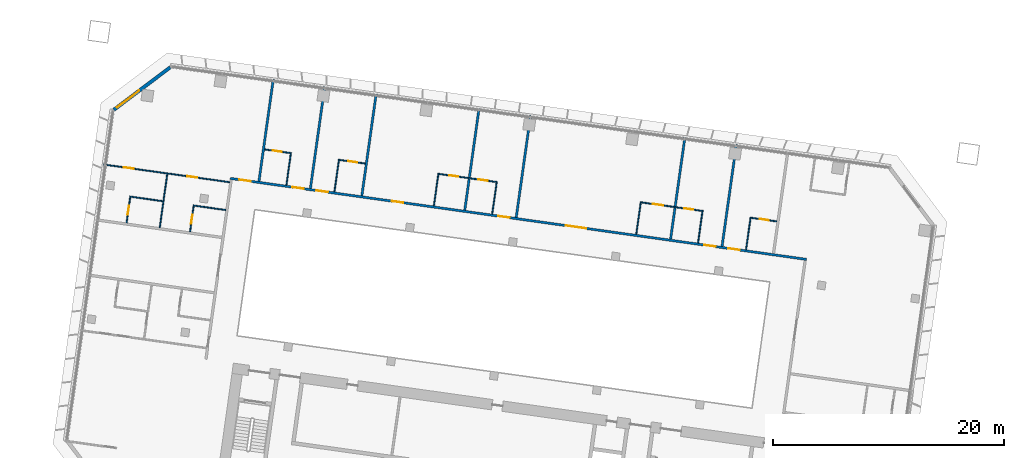
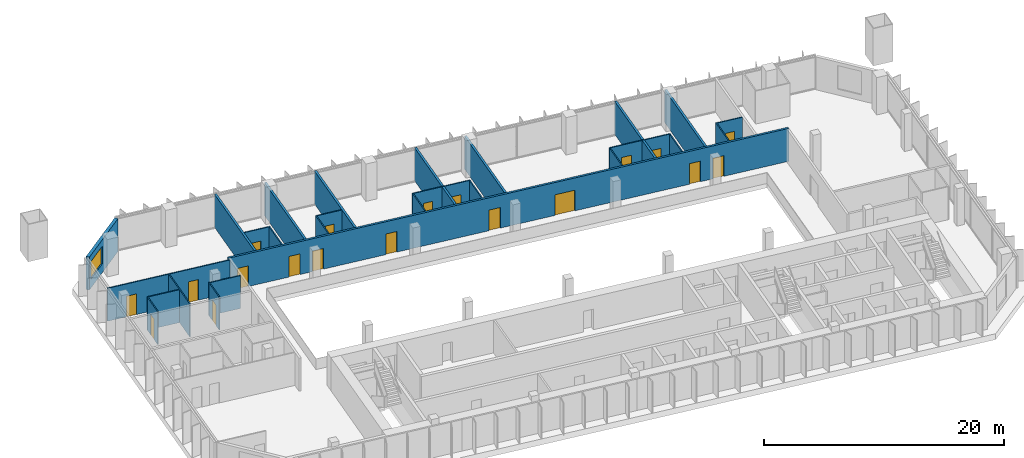
# One storey, part 16 of 24: 27 walls, 19 doors, 1 window, 20 openings.
"""IFC4 building model written with IfcOpenShell, lengths in metres."""

from ifc_helpers import new_model, si_unit, direction, frame, frame_2d, origin, place, context, subcontext, project, spatial, rectangle, extrude, material, layer, layer_set, type_object, element, fill, save


model = new_model("IFC4")

# Units and contexts
model_context = context("Model", 3, precision=1e-05, world=origin(), true_north=direction((0.0, 1.0)))
body_context = subcontext(model_context, "Body", "Model", "MODEL_VIEW")
ifc_project = project(units=[si_unit("LENGTHUNIT", "METRE"), si_unit("AREAUNIT", "SQUARE_METRE"), si_unit("VOLUMEUNIT", "CUBIC_METRE"), si_unit("PLANEANGLEUNIT", "RADIAN"), si_unit("MASSUNIT", "GRAM", prefix="KILO")], contexts=[model_context])

# Site, building, storey
site_placement = place(None, origin())
site = spatial("IfcSite", under=ifc_project, at=site_placement, CompositionType="ELEMENT")
building_placement = place(site_placement, origin())
building = spatial("IfcBuilding", under=site, at=building_placement, Name="Mirante Cascada Hotel Towers", CompositionType="ELEMENT")
storey_placement = place(building_placement, frame((0.0, 0.0, 77.5)))
storey = spatial("IfcBuildingStorey", under=building, at=storey_placement, Name="L16", CompositionType="ELEMENT", Elevation=77.5)

# Wall, openings, doors
ifc_material_1 = material(Name="Fire-rated plasterboard on metal studs")
ifc_layer_1 = layer(ifc_material_1, 0.2)
ifc_layer_set_1 = layer_set([ifc_layer_1], Name="Compartment wall 200 EI 120")
wall_type_1 = type_object("IfcWallType", Name="Compartment wall 200 EI 120", PredefinedType="PARTITIONING", material=ifc_layer_set_1)
wall_1_placement = place(storey_placement, frame((-39.1051, 9.3779, 0.0), z_axis=(0.0, 0.0, 1.0), x_axis=(-0.9902681, 0.1391727, 0.0)))
wall_1 = element("IfcWall", 1, at=wall_1_placement, inside=storey, type_object=wall_type_1, Name="Wall 1-L16-13", PredefinedType="PARTITIONING", context=body_context, shape_type="SweptSolid", body=[
    extrude(rectangle(XDim=50.4, YDim=0.2, at=frame_2d((25.2, 0.0))), origin(), (0.0, 0.0, 1.0), 3.35),
])
opening_1_placement = place(wall_1_placement, frame((5.85, 0.0, 0.0)))
opening_1 = element("IfcOpeningElement", 2, at=opening_1_placement, cuts=wall_1, Name="Opening D1-L16-07", PredefinedType="OPENING", context=body_context, shape_type="SweptSolid", body=[
    extrude(rectangle(XDim=1.0, YDim=2.1, at=frame_2d((0.5, 1.05))), frame((0.0, 0.1, 0.0), z_axis=(0.0, -1.0, 0.0), x_axis=(1.0, 0.0, 0.0)), (0.0, 0.0, 1.0), 0.2),
])
opening_2_placement = place(wall_1_placement, frame((7.95, 0.0, 0.0)))
opening_2 = element("IfcOpeningElement", 3, at=opening_2_placement, cuts=wall_1, Name="Opening D1-L16-08", PredefinedType="OPENING", context=body_context, shape_type="SweptSolid", body=[
    extrude(rectangle(XDim=1.0, YDim=2.1, at=frame_2d((0.5, 1.05))), frame((0.0, 0.1, 0.0), z_axis=(0.0, -1.0, 0.0), x_axis=(1.0, 0.0, 0.0)), (0.0, 0.0, 1.0), 0.2),
])
opening_3_placement = place(wall_1_placement, frame((19.25, 0.0, 0.0)))
opening_3 = element("IfcOpeningElement", 4, at=opening_3_placement, cuts=wall_1, Name="Opening D1-L16-09", PredefinedType="OPENING", context=body_context, shape_type="SweptSolid", body=[
    extrude(rectangle(XDim=1.8, YDim=2.1, at=frame_2d((0.9, 1.05))), frame((0.0, 0.1, 0.0), z_axis=(0.0, -1.0, 0.0), x_axis=(1.0, 0.0, 0.0)), (0.0, 0.0, 1.0), 0.2),
])
opening_4_placement = place(wall_1_placement, frame((25.95, 0.0, 0.0)))
opening_4 = element("IfcOpeningElement", 5, at=opening_4_placement, cuts=wall_1, Name="Opening D1-L16-10", PredefinedType="OPENING", context=body_context, shape_type="SweptSolid", body=[
    extrude(rectangle(XDim=1.0, YDim=2.1, at=frame_2d((0.5, 1.05))), frame((0.0, 0.1, 0.0), z_axis=(0.0, -1.0, 0.0), x_axis=(1.0, 0.0, 0.0)), (0.0, 0.0, 1.0), 0.2),
])
opening_5_placement = place(wall_1_placement, frame((35.25, 0.0, 0.0)))
opening_5 = element("IfcOpeningElement", 6, at=opening_5_placement, cuts=wall_1, Name="Opening D1-L16-11", PredefinedType="OPENING", context=body_context, shape_type="SweptSolid", body=[
    extrude(rectangle(XDim=1.0, YDim=2.1, at=frame_2d((0.5, 1.05))), frame((0.0, 0.1, 0.0), z_axis=(0.0, -1.0, 0.0), x_axis=(1.0, 0.0, 0.0)), (0.0, 0.0, 1.0), 0.2),
])
opening_6_placement = place(wall_1_placement, frame((41.85, 0.0, 0.0)))
opening_6 = element("IfcOpeningElement", 7, at=opening_6_placement, cuts=wall_1, Name="Opening D1-L16-12", PredefinedType="OPENING", context=body_context, shape_type="SweptSolid", body=[
    extrude(rectangle(XDim=1.0, YDim=2.1, at=frame_2d((0.5, 1.05))), frame((0.0, 0.1, 0.0), z_axis=(0.0, -1.0, 0.0), x_axis=(1.0, 0.0, 0.0)), (0.0, 0.0, 1.0), 0.2),
])
opening_7_placement = place(wall_1_placement, frame((43.95, 0.0, 0.0)))
opening_7 = element("IfcOpeningElement", 8, at=opening_7_placement, cuts=wall_1, Name="Opening D1-L16-13", PredefinedType="OPENING", context=body_context, shape_type="SweptSolid", body=[
    extrude(rectangle(XDim=1.0, YDim=2.1, at=frame_2d((0.5, 1.05))), frame((0.0, 0.1, 0.0), z_axis=(0.0, -1.0, 0.0), x_axis=(1.0, 0.0, 0.0)), (0.0, 0.0, 1.0), 0.2),
])
opening_8_placement = place(wall_1_placement, frame((48.6, 0.0, 0.0)))
opening_8 = element("IfcOpeningElement", 9, at=opening_8_placement, cuts=wall_1, Name="Opening D1-L16-14", PredefinedType="OPENING", context=body_context, shape_type="SweptSolid", body=[
    extrude(rectangle(XDim=1.0, YDim=2.1, at=frame_2d((0.5, 1.05))), frame((0.0, 0.1, 0.0), z_axis=(0.0, -1.0, 0.0), x_axis=(1.0, 0.0, 0.0)), (0.0, 0.0, 1.0), 0.2),
])
ifc_material_2 = material(Name="Fire-rated timber door leaf", Category="wood")
door_type_1 = type_object("IfcDoorType", Name="Entrance door DG1 1000x2100 EI 60", OperationType="SINGLE_SWING_LEFT", PredefinedType="DOOR", material=ifc_material_2)
door_1_placement = place(opening_1_placement, frame((1.0, 0.0, 0.0), z_axis=(0.0, 0.0, 1.0), x_axis=(-1.0, 0.0, 0.0)))
door_1 = element("IfcDoor", 10, at=door_1_placement, inside=storey, type_object=door_type_1, Name="Door D1-L16-07", OperationType="SINGLE_SWING_RIGHT", OverallHeight=2.1, OverallWidth=1.0, PredefinedType="DOOR", context=body_context, shape_type="SweptSolid", body=[
    extrude(rectangle(XDim=1.0, YDim=2.1, at=frame_2d((0.5, 1.05))), frame((0.0, 0.025, 0.0), z_axis=(0.0, -1.0, 0.0), x_axis=(1.0, 0.0, 0.0)), (0.0, 0.0, 1.0), 0.05),
])
fill(opening_1, door_1)
door_2_placement = place(opening_2_placement, frame((1.0, 0.0, 0.0), z_axis=(0.0, 0.0, 1.0), x_axis=(-1.0, 0.0, 0.0)))
door_2 = element("IfcDoor", 11, at=door_2_placement, inside=storey, type_object=door_type_1, Name="Door D1-L16-08", OperationType="SINGLE_SWING_RIGHT", OverallHeight=2.1, OverallWidth=1.0, PredefinedType="DOOR", context=body_context, shape_type="SweptSolid", body=[
    extrude(rectangle(XDim=1.0, YDim=2.1, at=frame_2d((0.5, 1.05))), frame((0.0, 0.025, 0.0), z_axis=(0.0, -1.0, 0.0), x_axis=(1.0, 0.0, 0.0)), (0.0, 0.0, 1.0), 0.05),
])
fill(opening_2, door_2)
door_3_placement = place(opening_4_placement, frame((1.0, 0.0, 0.0), z_axis=(0.0, 0.0, 1.0), x_axis=(-1.0, 0.0, 0.0)))
door_3 = element("IfcDoor", 12, at=door_3_placement, inside=storey, type_object=door_type_1, Name="Door D1-L16-10", OperationType="SINGLE_SWING_RIGHT", OverallHeight=2.1, OverallWidth=1.0, PredefinedType="DOOR", context=body_context, shape_type="SweptSolid", body=[
    extrude(rectangle(XDim=1.0, YDim=2.1, at=frame_2d((0.5, 1.05))), frame((0.0, 0.025, 0.0), z_axis=(0.0, -1.0, 0.0), x_axis=(1.0, 0.0, 0.0)), (0.0, 0.0, 1.0), 0.05),
])
fill(opening_4, door_3)
door_4_placement = place(opening_5_placement, frame((1.0, 0.0, 0.0), z_axis=(0.0, 0.0, 1.0), x_axis=(-1.0, 0.0, 0.0)))
door_4 = element("IfcDoor", 13, at=door_4_placement, inside=storey, type_object=door_type_1, Name="Door D1-L16-11", OperationType="SINGLE_SWING_RIGHT", OverallHeight=2.1, OverallWidth=1.0, PredefinedType="DOOR", context=body_context, shape_type="SweptSolid", body=[
    extrude(rectangle(XDim=1.0, YDim=2.1, at=frame_2d((0.5, 1.05))), frame((0.0, 0.025, 0.0), z_axis=(0.0, -1.0, 0.0), x_axis=(1.0, 0.0, 0.0)), (0.0, 0.0, 1.0), 0.05),
])
fill(opening_5, door_4)
door_5_placement = place(opening_6_placement, frame((1.0, 0.0, 0.0), z_axis=(0.0, 0.0, 1.0), x_axis=(-1.0, 0.0, 0.0)))
door_5 = element("IfcDoor", 14, at=door_5_placement, inside=storey, type_object=door_type_1, Name="Door D1-L16-12", OperationType="SINGLE_SWING_RIGHT", OverallHeight=2.1, OverallWidth=1.0, PredefinedType="DOOR", context=body_context, shape_type="SweptSolid", body=[
    extrude(rectangle(XDim=1.0, YDim=2.1, at=frame_2d((0.5, 1.05))), frame((0.0, 0.025, 0.0), z_axis=(0.0, -1.0, 0.0), x_axis=(1.0, 0.0, 0.0)), (0.0, 0.0, 1.0), 0.05),
])
fill(opening_6, door_5)
door_6_placement = place(opening_7_placement, frame((1.0, 0.0, 0.0), z_axis=(0.0, 0.0, 1.0), x_axis=(-1.0, 0.0, 0.0)))
door_6 = element("IfcDoor", 15, at=door_6_placement, inside=storey, type_object=door_type_1, Name="Door D1-L16-13", OperationType="SINGLE_SWING_RIGHT", OverallHeight=2.1, OverallWidth=1.0, PredefinedType="DOOR", context=body_context, shape_type="SweptSolid", body=[
    extrude(rectangle(XDim=1.0, YDim=2.1, at=frame_2d((0.5, 1.05))), frame((0.0, 0.025, 0.0), z_axis=(0.0, -1.0, 0.0), x_axis=(1.0, 0.0, 0.0)), (0.0, 0.0, 1.0), 0.05),
])
fill(opening_7, door_6)
door_7_placement = place(opening_8_placement, frame((1.0, 0.0, 0.0), z_axis=(0.0, 0.0, 1.0), x_axis=(-1.0, 0.0, 0.0)))
door_7 = element("IfcDoor", 16, at=door_7_placement, inside=storey, type_object=door_type_1, Name="Door D1-L16-14", OperationType="SINGLE_SWING_RIGHT", OverallHeight=2.1, OverallWidth=1.0, PredefinedType="DOOR", context=body_context, shape_type="SweptSolid", body=[
    extrude(rectangle(XDim=1.0, YDim=2.1, at=frame_2d((0.5, 1.05))), frame((0.0, 0.025, 0.0), z_axis=(0.0, -1.0, 0.0), x_axis=(1.0, 0.0, 0.0)), (0.0, 0.0, 1.0), 0.05),
])
fill(opening_8, door_7)
ifc_material_3 = material(Name="Fire-rated timber door leaf", Category="wood")
door_type_2 = type_object("IfcDoorType", Name="Suite double door DG2 1800x2100 EI 60", OperationType="DOUBLE_DOOR_SINGLE_SWING", PredefinedType="DOOR", material=ifc_material_3)
door_8_placement = place(opening_3_placement, origin())
door_8 = element("IfcDoor", 17, at=door_8_placement, inside=storey, type_object=door_type_2, Name="Door D1-L16-09", OperationType="DOUBLE_DOOR_SINGLE_SWING", OverallHeight=2.1, OverallWidth=1.8, PredefinedType="DOOR", context=body_context, shape_type="SweptSolid", body=[
    extrude(rectangle(XDim=0.895, YDim=2.1, at=frame_2d((0.4475, 1.05))), frame((0.0, 0.025, 0.0), z_axis=(0.0, -1.0, 0.0), x_axis=(1.0, 0.0, 0.0)), (0.0, 0.0, 1.0), 0.05),
    extrude(rectangle(XDim=0.895, YDim=2.1, at=frame_2d((1.3525, 1.05))), frame((0.0, 0.025, 0.0), z_axis=(0.0, -1.0, 0.0), x_axis=(1.0, 0.0, 0.0)), (0.0, 0.0, 1.0), 0.05),
])
fill(opening_3, door_8)

# Walls
for number, where, z_axis, x_axis, name in (
    (18, (-45.1805, 19.3202, 0.0), (0.0, 0.0, 1.0), (-0.1391794, -0.9902672, 0.0), "Wall 1-L16-28"),
    (19, (-49.6367, 19.9465, 0.0), (0.0, 0.0, 1.0), (-0.1391794, -0.9902672, 0.0), "Wall 1-L16-30"),
    (20, (-63.0054, 21.8253, 0.0), (0.0, 0.0, 1.0), (-0.1391684, -0.9902687, 0.0), "Wall 1-L16-32"),
    (21, (-67.4616, 22.4516, 0.0), (0.0, 0.0, 1.0), (-0.1391684, -0.9902687, 0.0), "Wall 1-L16-34"),
    (22, (-76.374, 23.7042, 0.0), (0.0, 0.0, 1.0), (-0.1391684, -0.9902687, 0.0), "Wall 1-L16-36"),
):
    element("IfcWall", number, at=place(storey_placement, frame(where, z_axis=z_axis, x_axis=x_axis)), inside=storey, type_object=wall_type_1, Name=name, PredefinedType="PARTITIONING", context=body_context, shape_type="SweptSolid", body=[
        extrude(rectangle(XDim=8.9, YDim=0.2, at=frame_2d((4.45, 0.0))), origin(), (0.0, 0.0, 1.0), 3.35),
    ])
wall_2_placement = place(storey_placement, frame((-80.8302, 24.3304, 0.0), z_axis=(0.0, 0.0, 1.0), x_axis=(-0.13917, -0.9902685, 0.0)))
element("IfcWall", 23, at=wall_2_placement, inside=storey, type_object=wall_type_1, Name="Wall 1-L16-38", PredefinedType="PARTITIONING", context=body_context, shape_type="SweptSolid", body=[
    extrude(rectangle(XDim=8.8999, YDim=0.2, at=frame_2d((4.45, 0.0))), origin(), (0.0, 0.0, 1.0), 3.35),
])
wall_3_placement = place(storey_placement, frame((-85.2864, 24.9567, 0.0), z_axis=(0.0, 0.0, 1.0), x_axis=(-0.1391684, -0.9902687, 0.0)))
element("IfcWall", 24, at=wall_3_placement, inside=storey, type_object=wall_type_1, Name="Wall 1-L16-40", PredefinedType="PARTITIONING", context=body_context, shape_type="SweptSolid", body=[
    extrude(rectangle(XDim=8.9, YDim=0.2, at=frame_2d((4.45, 0.0))), origin(), (0.0, 0.0, 1.0), 3.35),
])
ifc_material_4 = material(Name="Plasterboard on metal studs")
ifc_layer_2 = layer(ifc_material_4, 0.1)
ifc_layer_set_2 = layer_set([ifc_layer_2], Name="Partition 100")
wall_type_2 = type_object("IfcWallType", Name="Partition 100", PredefinedType="PARTITIONING", material=ifc_layer_set_2)
wall_4_placement = place(storey_placement, frame((-92.2219, 14.0491, 0.0), z_axis=(0.0, 0.0, 1.0), x_axis=(0.9902697, -0.1391613, 0.0)))
element("IfcWall", 25, at=wall_4_placement, inside=storey, type_object=wall_type_2, Name="Wall 1-L16-10", PredefinedType="PARTITIONING", context=body_context, shape_type="SweptSolid", body=[
    extrude(rectangle(XDim=2.8499, YDim=0.1, at=frame_2d((1.425, 0.0))), origin(), (0.0, 0.0, 1.0), 3.35),
])
wall_5_placement = place(storey_placement, frame((-94.8461, 14.4179, 0.0), z_axis=(0.0, 0.0, 1.0), x_axis=(-0.9902683, 0.1391714, 0.0)))
element("IfcWall", 26, at=wall_5_placement, inside=storey, type_object=wall_type_2, Name="Wall 1-L16-11", PredefinedType="PARTITIONING", context=body_context, shape_type="SweptSolid", body=[
    extrude(rectangle(XDim=2.9, YDim=0.1, at=frame_2d((1.45, 0.0))), origin(), (0.0, 0.0, 1.0), 3.35),
])

# Wall, openings, doors
wall_6_placement = place(storey_placement, frame((-99.954, 17.5931, 0.0), z_axis=(0.0, 0.0, 1.0), x_axis=(0.9902682, -0.1391721, 0.0)))
wall_6 = element("IfcWall", 27, at=wall_6_placement, inside=storey, type_object=wall_type_2, Name="Wall 1-L16-12", PredefinedType="PARTITIONING", context=body_context, shape_type="SweptSolid", body=[
    extrude(rectangle(XDim=11.0001, YDim=0.1, at=frame_2d((5.5, 0.0))), origin(), (0.0, 0.0, 1.0), 3.35),
])
opening_9_placement = place(wall_6_placement, frame((7.275, 0.0, 0.0)))
opening_9 = element("IfcOpeningElement", 28, at=opening_9_placement, cuts=wall_6, Name="Opening D1-L16-05", PredefinedType="OPENING", context=body_context, shape_type="SweptSolid", body=[
    extrude(rectangle(XDim=0.9, YDim=2.1, at=frame_2d((0.45, 1.05))), frame((0.0, 0.05, 0.0), z_axis=(0.0, -1.0, 0.0), x_axis=(1.0, 0.0, 0.0)), (0.0, 0.0, 1.0), 0.1),
])
opening_10_placement = place(wall_6_placement, frame((1.725, 0.0, 0.0)))
opening_10 = element("IfcOpeningElement", 29, at=opening_10_placement, cuts=wall_6, Name="Opening D1-L16-06", PredefinedType="OPENING", context=body_context, shape_type="SweptSolid", body=[
    extrude(rectangle(XDim=0.9, YDim=2.1, at=frame_2d((0.45, 1.05))), frame((0.0, 0.05, 0.0), z_axis=(0.0, -1.0, 0.0), x_axis=(1.0, 0.0, 0.0)), (0.0, 0.0, 1.0), 0.1),
])
ifc_material_5 = material(Name="Timber door leaf", Category="wood")
door_type_3 = type_object("IfcDoorType", Name="Room door DG3 900x2100", OperationType="SINGLE_SWING_LEFT", PredefinedType="DOOR", material=ifc_material_5)
door_9_placement = place(opening_9_placement, origin())
door_9 = element("IfcDoor", 30, at=door_9_placement, inside=storey, type_object=door_type_3, Name="Door D1-L16-05", OperationType="SINGLE_SWING_LEFT", OverallHeight=2.1, OverallWidth=0.9, PredefinedType="DOOR", context=body_context, shape_type="SweptSolid", body=[
    extrude(rectangle(XDim=0.9, YDim=2.1, at=frame_2d((0.45, 1.05))), frame((0.0, 0.025, 0.0), z_axis=(0.0, -1.0, 0.0), x_axis=(1.0, 0.0, 0.0)), (0.0, 0.0, 1.0), 0.05),
])
fill(opening_9, door_9)
door_10_placement = place(opening_10_placement, origin())
door_10 = element("IfcDoor", 31, at=door_10_placement, inside=storey, type_object=door_type_3, Name="Door D1-L16-06", OperationType="SINGLE_SWING_LEFT", OverallHeight=2.1, OverallWidth=0.9, PredefinedType="DOOR", context=body_context, shape_type="SweptSolid", body=[
    extrude(rectangle(XDim=0.9, YDim=2.1, at=frame_2d((0.45, 1.05))), frame((0.0, 0.025, 0.0), z_axis=(0.0, -1.0, 0.0), x_axis=(1.0, 0.0, 0.0)), (0.0, 0.0, 1.0), 0.05),
])
fill(opening_10, door_10)

# Wall, opening, door
wall_7_placement = place(storey_placement, frame((-43.9004, 12.9804, 0.0), z_axis=(0.0, 0.0, 1.0), x_axis=(0.9902643, -0.1391997, 0.0)))
wall_7 = element("IfcWall", 32, at=wall_7_placement, inside=storey, type_object=wall_type_2, Name="Wall 1-L16-14", PredefinedType="PARTITIONING", context=body_context, shape_type="SweptSolid", body=[
    extrude(rectangle(XDim=2.25, YDim=0.1, at=frame_2d((1.125, 0.0))), origin(), (0.0, 0.0, 1.0), 3.35),
])
opening_11_placement = place(wall_7_placement, frame((0.75, 0.0, 0.0)))
opening_11 = element("IfcOpeningElement", 33, at=opening_11_placement, cuts=wall_7, Name="Opening D1-L16-15", PredefinedType="OPENING", context=body_context, shape_type="SweptSolid", body=[
    extrude(rectangle(XDim=0.8, YDim=2.1, at=frame_2d((0.4, 1.05))), frame((0.0, 0.05, 0.0), z_axis=(0.0, -1.0, 0.0), x_axis=(1.0, 0.0, 0.0)), (0.0, 0.0, 1.0), 0.1),
])
ifc_material_6 = material(Name="Timber door leaf", Category="wood")
door_type_4 = type_object("IfcDoorType", Name="Bathroom door DG4 800x2100", OperationType="SINGLE_SWING_LEFT", PredefinedType="DOOR", material=ifc_material_6)
door_11_placement = place(opening_11_placement, origin())
door_11 = element("IfcDoor", 34, at=door_11_placement, inside=storey, type_object=door_type_4, Name="Door D1-L16-15", OperationType="SINGLE_SWING_LEFT", OverallHeight=2.1, OverallWidth=0.8, PredefinedType="DOOR", context=body_context, shape_type="SweptSolid", body=[
    extrude(rectangle(XDim=0.8, YDim=2.1, at=frame_2d((0.4, 1.05))), frame((0.0, 0.025, 0.0), z_axis=(0.0, -1.0, 0.0), x_axis=(1.0, 0.0, 0.0)), (0.0, 0.0, 1.0), 0.05),
])
fill(opening_11, door_11)

# Wall, openings, doors
wall_8_placement = place(storey_placement, frame((-48.0595, 13.5649, 0.0), z_axis=(0.0, 0.0, 1.0), x_axis=(-0.9902695, 0.1391632, 0.0)))
wall_8 = element("IfcWall", 35, at=wall_8_placement, inside=storey, type_object=wall_type_2, Name="Wall 1-L16-15", PredefinedType="PARTITIONING", context=body_context, shape_type="SweptSolid", body=[
    extrude(rectangle(XDim=5.5, YDim=0.1, at=frame_2d((2.75, 0.0))), origin(), (0.0, 0.0, 1.0), 3.35),
])
opening_12_placement = place(wall_8_placement, frame((0.85, 0.0, 0.0)))
opening_12 = element("IfcOpeningElement", 36, at=opening_12_placement, cuts=wall_8, Name="Opening D1-L16-16", PredefinedType="OPENING", context=body_context, shape_type="SweptSolid", body=[
    extrude(rectangle(XDim=0.8, YDim=2.1, at=frame_2d((0.4, 1.05))), frame((0.0, 0.05, 0.0), z_axis=(0.0, -1.0, 0.0), x_axis=(1.0, 0.0, 0.0)), (0.0, 0.0, 1.0), 0.1),
])
opening_13_placement = place(wall_8_placement, frame((3.5, 0.0, 0.0)))
opening_13 = element("IfcOpeningElement", 37, at=opening_13_placement, cuts=wall_8, Name="Opening D1-L16-17", PredefinedType="OPENING", context=body_context, shape_type="SweptSolid", body=[
    extrude(rectangle(XDim=0.9, YDim=2.1, at=frame_2d((0.45, 1.05))), frame((0.0, 0.05, 0.0), z_axis=(0.0, -1.0, 0.0), x_axis=(1.0, 0.0, 0.0)), (0.0, 0.0, 1.0), 0.1),
])
door_12_placement = place(opening_12_placement, frame((0.8, 0.0, 0.0), z_axis=(0.0, 0.0, 1.0), x_axis=(-1.0, 0.0, 0.0)))
door_12 = element("IfcDoor", 38, at=door_12_placement, inside=storey, type_object=door_type_4, Name="Door D1-L16-16", OperationType="SINGLE_SWING_RIGHT", OverallHeight=2.1, OverallWidth=0.8, PredefinedType="DOOR", context=body_context, shape_type="SweptSolid", body=[
    extrude(rectangle(XDim=0.8, YDim=2.1, at=frame_2d((0.4, 1.05))), frame((0.0, 0.025, 0.0), z_axis=(0.0, -1.0, 0.0), x_axis=(1.0, 0.0, 0.0)), (0.0, 0.0, 1.0), 0.05),
])
fill(opening_12, door_12)
door_13_placement = place(opening_13_placement, frame((0.9, 0.0, 0.0), z_axis=(0.0, 0.0, 1.0), x_axis=(-1.0, 0.0, 0.0)))
door_13 = element("IfcDoor", 39, at=door_13_placement, inside=storey, type_object=door_type_3, Name="Door D1-L16-17", OperationType="SINGLE_SWING_RIGHT", OverallHeight=2.1, OverallWidth=0.9, PredefinedType="DOOR", context=body_context, shape_type="SweptSolid", body=[
    extrude(rectangle(XDim=0.9, YDim=2.1, at=frame_2d((0.45, 1.05))), frame((0.0, 0.025, 0.0), z_axis=(0.0, -1.0, 0.0), x_axis=(1.0, 0.0, 0.0)), (0.0, 0.0, 1.0), 0.05),
])
fill(opening_13, door_13)

wall_9_placement = place(storey_placement, frame((-71.0338, 16.7937, 0.0), z_axis=(0.0, 0.0, 1.0), x_axis=(0.9902681, -0.1391729, 0.0)))
wall_9 = element("IfcWall", 40, at=wall_9_placement, inside=storey, type_object=wall_type_2, Name="Wall 1-L16-16", PredefinedType="PARTITIONING", context=body_context, shape_type="SweptSolid", body=[
    extrude(rectangle(XDim=5.2, YDim=0.1, at=frame_2d((2.6, 0.0))), origin(), (0.0, 0.0, 1.0), 3.35),
])
opening_14_placement = place(wall_9_placement, frame((3.55, 0.0, 0.0)))
opening_14 = element("IfcOpeningElement", 41, at=opening_14_placement, cuts=wall_9, Name="Opening D1-L16-18", PredefinedType="OPENING", context=body_context, shape_type="SweptSolid", body=[
    extrude(rectangle(XDim=0.8, YDim=2.1, at=frame_2d((0.4, 1.05))), frame((0.0, 0.05, 0.0), z_axis=(0.0, -1.0, 0.0), x_axis=(1.0, 0.0, 0.0)), (0.0, 0.0, 1.0), 0.1),
])
opening_15_placement = place(wall_9_placement, frame((1.0, 0.0, 0.0)))
opening_15 = element("IfcOpeningElement", 42, at=opening_15_placement, cuts=wall_9, Name="Opening D1-L16-19", PredefinedType="OPENING", context=body_context, shape_type="SweptSolid", body=[
    extrude(rectangle(XDim=0.8, YDim=2.1, at=frame_2d((0.4, 1.05))), frame((0.0, 0.05, 0.0), z_axis=(0.0, -1.0, 0.0), x_axis=(1.0, 0.0, 0.0)), (0.0, 0.0, 1.0), 0.1),
])
door_14_placement = place(opening_14_placement, origin())
door_14 = element("IfcDoor", 43, at=door_14_placement, inside=storey, type_object=door_type_4, Name="Door D1-L16-18", OperationType="SINGLE_SWING_LEFT", OverallHeight=2.1, OverallWidth=0.8, PredefinedType="DOOR", context=body_context, shape_type="SweptSolid", body=[
    extrude(rectangle(XDim=0.8, YDim=2.1, at=frame_2d((0.4, 1.05))), frame((0.0, 0.025, 0.0), z_axis=(0.0, -1.0, 0.0), x_axis=(1.0, 0.0, 0.0)), (0.0, 0.0, 1.0), 0.05),
])
fill(opening_14, door_14)
door_15_placement = place(opening_15_placement, origin())
door_15 = element("IfcDoor", 44, at=door_15_placement, inside=storey, type_object=door_type_4, Name="Door D1-L16-19", OperationType="SINGLE_SWING_LEFT", OverallHeight=2.1, OverallWidth=0.8, PredefinedType="DOOR", context=body_context, shape_type="SweptSolid", body=[
    extrude(rectangle(XDim=0.8, YDim=2.1, at=frame_2d((0.4, 1.05))), frame((0.0, 0.025, 0.0), z_axis=(0.0, -1.0, 0.0), x_axis=(1.0, 0.0, 0.0)), (0.0, 0.0, 1.0), 0.05),
])
fill(opening_15, door_15)

# Wall, opening, door
wall_10_placement = place(storey_placement, frame((-77.322, 17.6774, 0.0), z_axis=(0.0, 0.0, 1.0), x_axis=(-0.9902643, 0.1391997, 0.0)))
wall_10 = element("IfcWall", 45, at=wall_10_placement, inside=storey, type_object=wall_type_2, Name="Wall 1-L16-17", PredefinedType="PARTITIONING", context=body_context, shape_type="SweptSolid", body=[
    extrude(rectangle(XDim=2.25, YDim=0.1, at=frame_2d((1.125, 0.0))), origin(), (0.0, 0.0, 1.0), 3.35),
])
opening_16_placement = place(wall_10_placement, frame((0.7, 0.0, 0.0)))
opening_16 = element("IfcOpeningElement", 46, at=opening_16_placement, cuts=wall_10, Name="Opening D1-L16-20", PredefinedType="OPENING", context=body_context, shape_type="SweptSolid", body=[
    extrude(rectangle(XDim=0.8, YDim=2.1, at=frame_2d((0.4, 1.05))), frame((0.0, 0.05, 0.0), z_axis=(0.0, -1.0, 0.0), x_axis=(1.0, 0.0, 0.0)), (0.0, 0.0, 1.0), 0.1),
])
door_16_placement = place(opening_16_placement, frame((0.8, 0.0, 0.0), z_axis=(0.0, 0.0, 1.0), x_axis=(-1.0, 0.0, 0.0)))
door_16 = element("IfcDoor", 47, at=door_16_placement, inside=storey, type_object=door_type_4, Name="Door D1-L16-20", OperationType="SINGLE_SWING_RIGHT", OverallHeight=2.1, OverallWidth=0.8, PredefinedType="DOOR", context=body_context, shape_type="SweptSolid", body=[
    extrude(rectangle(XDim=0.8, YDim=2.1, at=frame_2d((0.4, 1.05))), frame((0.0, 0.025, 0.0), z_axis=(0.0, -1.0, 0.0), x_axis=(1.0, 0.0, 0.0)), (0.0, 0.0, 1.0), 0.05),
])
fill(opening_16, door_16)

wall_11_placement = place(storey_placement, frame((-86.0363, 18.9022, 0.0), z_axis=(0.0, 0.0, 1.0), x_axis=(0.9902643, -0.1391997, 0.0)))
wall_11 = element("IfcWall", 48, at=wall_11_placement, inside=storey, type_object=wall_type_2, Name="Wall 1-L16-18", PredefinedType="PARTITIONING", context=body_context, shape_type="SweptSolid", body=[
    extrude(rectangle(XDim=2.25, YDim=0.1, at=frame_2d((1.125, 0.0))), origin(), (0.0, 0.0, 1.0), 3.35),
])
opening_17_placement = place(wall_11_placement, frame((0.7, 0.0, 0.0)))
opening_17 = element("IfcOpeningElement", 49, at=opening_17_placement, cuts=wall_11, Name="Opening D1-L16-21", PredefinedType="OPENING", context=body_context, shape_type="SweptSolid", body=[
    extrude(rectangle(XDim=0.8, YDim=2.1, at=frame_2d((0.4, 1.05))), frame((0.0, 0.05, 0.0), z_axis=(0.0, -1.0, 0.0), x_axis=(1.0, 0.0, 0.0)), (0.0, 0.0, 1.0), 0.1),
])
door_17_placement = place(opening_17_placement, origin())
door_17 = element("IfcDoor", 50, at=door_17_placement, inside=storey, type_object=door_type_4, Name="Door D1-L16-21", OperationType="SINGLE_SWING_LEFT", OverallHeight=2.1, OverallWidth=0.8, PredefinedType="DOOR", context=body_context, shape_type="SweptSolid", body=[
    extrude(rectangle(XDim=0.8, YDim=2.1, at=frame_2d((0.4, 1.05))), frame((0.0, 0.025, 0.0), z_axis=(0.0, -1.0, 0.0), x_axis=(1.0, 0.0, 0.0)), (0.0, 0.0, 1.0), 0.05),
])
fill(opening_17, door_17)

# Walls
wall_12_placement = place(storey_placement, frame((-44.3396, 10.2146, 0.0), z_axis=(0.0, 0.0, 1.0), x_axis=(0.1391613, 0.9902697, 0.0)))
element("IfcWall", 51, at=wall_12_placement, inside=storey, type_object=wall_type_2, Name="Wall 1-L16-27", PredefinedType="PARTITIONING", context=body_context, shape_type="SweptSolid", body=[
    extrude(rectangle(XDim=2.8499, YDim=0.1, at=frame_2d((1.425, 0.0))), origin(), (0.0, 0.0, 1.0), 3.35),
])
wall_13_placement = place(storey_placement, frame((-48.4987, 10.7991, 0.0), z_axis=(0.0, 0.0, 1.0), x_axis=(0.1391657, 0.9902691, 0.0)))
element("IfcWall", 52, at=wall_13_placement, inside=storey, type_object=wall_type_2, Name="Wall 1-L16-29", PredefinedType="PARTITIONING", context=body_context, shape_type="SweptSolid", body=[
    extrude(rectangle(XDim=2.75, YDim=0.1, at=frame_2d((1.375, 0.0))), origin(), (0.0, 0.0, 1.0), 3.35),
])
wall_14_placement = place(storey_placement, frame((-53.8462, 11.5506, 0.0), z_axis=(0.0, 0.0, 1.0), x_axis=(0.1391607, 0.9902698, 0.0)))
element("IfcWall", 53, at=wall_14_placement, inside=storey, type_object=wall_type_2, Name="Wall 1-L16-31", PredefinedType="PARTITIONING", context=body_context, shape_type="SweptSolid", body=[
    extrude(rectangle(XDim=2.7501, YDim=0.1, at=frame_2d((1.3751, 0.0))), origin(), (0.0, 0.0, 1.0), 3.35),
])
for number, where, z_axis, x_axis, name in (
    (54, (-66.3236, 13.3042, 0.0), (0.0, 0.0, 1.0), (0.1392013, 0.9902641, 0.0), "Wall 1-L16-33"),
    (55, (-71.3739, 14.014, 0.0), (0.0, 0.0, 1.0), (0.1391657, 0.9902691, 0.0), "Wall 1-L16-35"),
):
    element("IfcWall", number, at=place(storey_placement, frame(where, z_axis=z_axis, x_axis=x_axis)), inside=storey, type_object=wall_type_2, Name=name, PredefinedType="PARTITIONING", context=body_context, shape_type="SweptSolid", body=[
        extrude(rectangle(XDim=2.75, YDim=0.1, at=frame_2d((1.375, 0.0))), origin(), (0.0, 0.0, 1.0), 3.35),
    ])
for number, where, z_axis, x_axis, name in (
    (56, (-79.9893, 15.2248, 0.0), (0.0, 0.0, 1.0), (0.1391909, 0.9902656, 0.0), "Wall 1-L16-37"),
    (57, (-84.1484, 15.8093, 0.0), (0.0, 0.0, 1.0), (0.1391909, 0.9902656, 0.0), "Wall 1-L16-39"),
):
    element("IfcWall", number, at=place(storey_placement, frame(where, z_axis=z_axis, x_axis=x_axis)), inside=storey, type_object=wall_type_2, Name=name, PredefinedType="PARTITIONING", context=body_context, shape_type="SweptSolid", body=[
        extrude(rectangle(XDim=2.85, YDim=0.1, at=frame_2d((1.425, 0.0))), origin(), (0.0, 0.0, 1.0), 3.35),
    ])

# Wall, opening, door
wall_15_placement = place(storey_placement, frame((-92.4925, 11.7645, 0.0), z_axis=(0.0, 0.0, 1.0), x_axis=(0.1391561, 0.9902705, 0.0)))
wall_15 = element("IfcWall", 58, at=wall_15_placement, inside=storey, type_object=wall_type_2, Name="Wall 1-L16-43", PredefinedType="PARTITIONING", context=body_context, shape_type="SweptSolid", body=[
    extrude(rectangle(XDim=2.25, YDim=0.1, at=frame_2d((1.125, 0.0))), origin(), (0.0, 0.0, 1.0), 3.35),
])
opening_18_placement = place(wall_15_placement, frame((0.7, 0.0, 0.0)))
opening_18 = element("IfcOpeningElement", 59, at=opening_18_placement, cuts=wall_15, Name="Opening D1-L16-28", PredefinedType="OPENING", context=body_context, shape_type="SweptSolid", body=[
    extrude(rectangle(XDim=0.8, YDim=2.1, at=frame_2d((0.4, 1.05))), frame((0.0, 0.05, 0.0), z_axis=(0.0, -1.0, 0.0), x_axis=(1.0, 0.0, 0.0)), (0.0, 0.0, 1.0), 0.1),
])
door_18_placement = place(opening_18_placement, frame((0.8, 0.0, 0.0), z_axis=(0.0, 0.0, 1.0), x_axis=(-1.0, 0.0, 0.0)))
door_18 = element("IfcDoor", 60, at=door_18_placement, inside=storey, type_object=door_type_4, Name="Door D1-L16-28", OperationType="SINGLE_SWING_RIGHT", OverallHeight=2.1, OverallWidth=0.8, PredefinedType="DOOR", context=body_context, shape_type="SweptSolid", body=[
    extrude(rectangle(XDim=0.8, YDim=2.1, at=frame_2d((0.4, 1.05))), frame((0.0, 0.025, 0.0), z_axis=(0.0, -1.0, 0.0), x_axis=(1.0, 0.0, 0.0)), (0.0, 0.0, 1.0), 0.05),
])
fill(opening_18, door_18)

# Wall
wall_16_placement = place(storey_placement, frame((-95.1167, 12.1333, 0.0), z_axis=(0.0, 0.0, 1.0), x_axis=(0.1391701, 0.9902685, 0.0)))
element("IfcWall", 61, at=wall_16_placement, inside=storey, type_object=wall_type_2, Name="Wall 1-L16-45", PredefinedType="PARTITIONING", context=body_context, shape_type="SweptSolid", body=[
    extrude(rectangle(XDim=4.6835, YDim=0.1, at=frame_2d((2.3418, 0.0))), origin(), (0.0, 0.0, 1.0), 3.35),
])

# Wall, opening, door
wall_17_placement = place(storey_placement, frame((-97.9885, 12.5369, 0.0), z_axis=(0.0, 0.0, 1.0), x_axis=(0.1391561, 0.9902705, 0.0)))
wall_17 = element("IfcWall", 62, at=wall_17_placement, inside=storey, type_object=wall_type_2, Name="Wall 1-L16-47", PredefinedType="PARTITIONING", context=body_context, shape_type="SweptSolid", body=[
    extrude(rectangle(XDim=2.25, YDim=0.1, at=frame_2d((1.125, 0.0))), origin(), (0.0, 0.0, 1.0), 3.35),
])
opening_19_placement = place(wall_17_placement, frame((0.7, 0.0, 0.0)))
opening_19 = element("IfcOpeningElement", 63, at=opening_19_placement, cuts=wall_17, Name="Opening D1-L16-31", PredefinedType="OPENING", context=body_context, shape_type="SweptSolid", body=[
    extrude(rectangle(XDim=0.8, YDim=2.1, at=frame_2d((0.4, 1.05))), frame((0.0, 0.05, 0.0), z_axis=(0.0, -1.0, 0.0), x_axis=(1.0, 0.0, 0.0)), (0.0, 0.0, 1.0), 0.1),
])
door_19_placement = place(opening_19_placement, frame((0.8, 0.0, 0.0), z_axis=(0.0, 0.0, 1.0), x_axis=(-1.0, 0.0, 0.0)))
door_19 = element("IfcDoor", 64, at=door_19_placement, inside=storey, type_object=door_type_4, Name="Door D1-L16-31", OperationType="SINGLE_SWING_RIGHT", OverallHeight=2.1, OverallWidth=0.8, PredefinedType="DOOR", context=body_context, shape_type="SweptSolid", body=[
    extrude(rectangle(XDim=0.8, YDim=2.1, at=frame_2d((0.4, 1.05))), frame((0.0, 0.025, 0.0), z_axis=(0.0, -1.0, 0.0), x_axis=(1.0, 0.0, 0.0)), (0.0, 0.0, 1.0), 0.05),
])
fill(opening_19, door_19)

# Wall, opening, window
ifc_material_7 = material(Name="Precast concrete C40/50", Category="concrete")
ifc_layer_3 = layer(ifc_material_7, 0.3)
ifc_layer_set_3 = layer_set([ifc_layer_3], Name="Precast concrete C40/50 cladding wall 300")
wall_type_3 = type_object("IfcWallType", Name="Precast concrete C40/50 cladding wall 300", PredefinedType="STANDARD", material=ifc_layer_set_3)
wall_18_placement = place(storey_placement, frame((-99.0919, 22.3343, 0.0), z_axis=(0.0, 0.0, 1.0), x_axis=(0.7986362, 0.6018141, 0.0)))
wall_18 = element("IfcWall", 65, at=wall_18_placement, inside=storey, type_object=wall_type_3, Name="Corner cladding wall T1 L16 outer front", PredefinedType="STANDARD", context=body_context, shape_type="SweptSolid", body=[
    extrude(rectangle(XDim=6.1157, YDim=0.3, at=frame_2d((3.0578, 0.0))), origin(), (0.0, 0.0, 1.0), 3.35),
])
opening_20_placement = place(wall_18_placement, frame((0.35, 0.0, 0.9)))
opening_20 = element("IfcOpeningElement", 66, at=opening_20_placement, cuts=wall_18, Name="Opening W1-16-06", PredefinedType="OPENING", context=body_context, shape_type="SweptSolid", body=[
    extrude(rectangle(XDim=2.4, YDim=1.8, at=frame_2d((1.2, 0.9))), frame((0.0, 0.15, 0.0), z_axis=(0.0, -1.0, 0.0), x_axis=(1.0, 0.0, 0.0)), (0.0, 0.0, 1.0), 0.3),
])
ifc_material_8 = material(Name="Aluminium frame with clear double glazing", Category="aluminium")
window_type = type_object("IfcWindowType", Name="Punched window 2400x1800", PartitioningType="DOUBLE_PANEL_VERTICAL", PredefinedType="WINDOW", material=ifc_material_8)
window_placement = place(opening_20_placement, origin())
window = element("IfcWindow", 67, at=window_placement, inside=storey, type_object=window_type, Name="Window W1-16-06", OverallHeight=1.8, OverallWidth=2.4, PartitioningType="SINGLE_PANEL", PredefinedType="WINDOW", context=body_context, shape_type="SweptSolid", body=[
    extrude(rectangle(XDim=2.4, YDim=1.8, at=frame_2d((1.2, 0.9))), frame((0.0, 0.03, 0.0), z_axis=(0.0, -1.0, 0.0), x_axis=(1.0, 0.0, 0.0)), (0.0, 0.0, 1.0), 0.06),
])
fill(opening_20, window)

save(model, "model.ifc")
